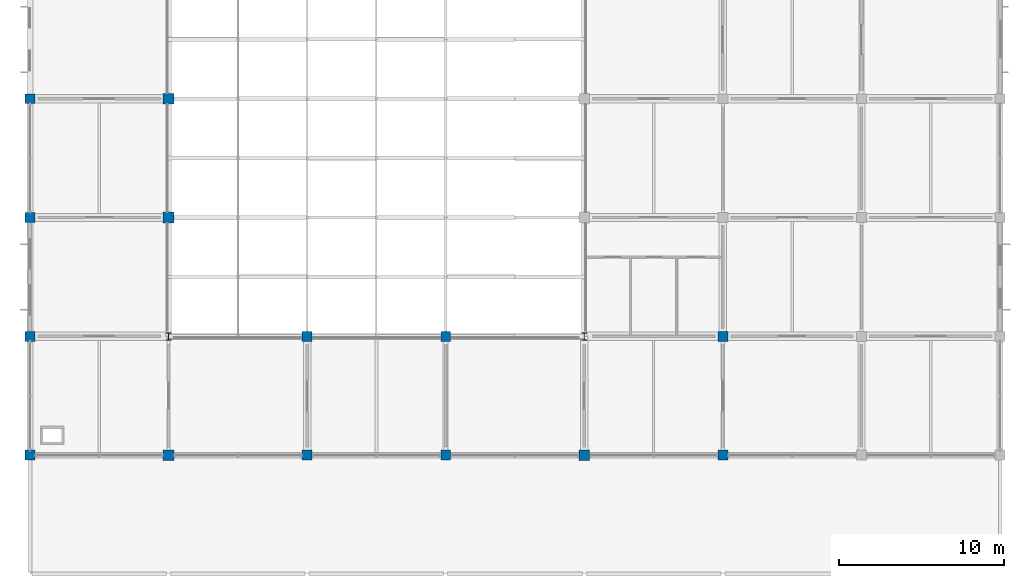
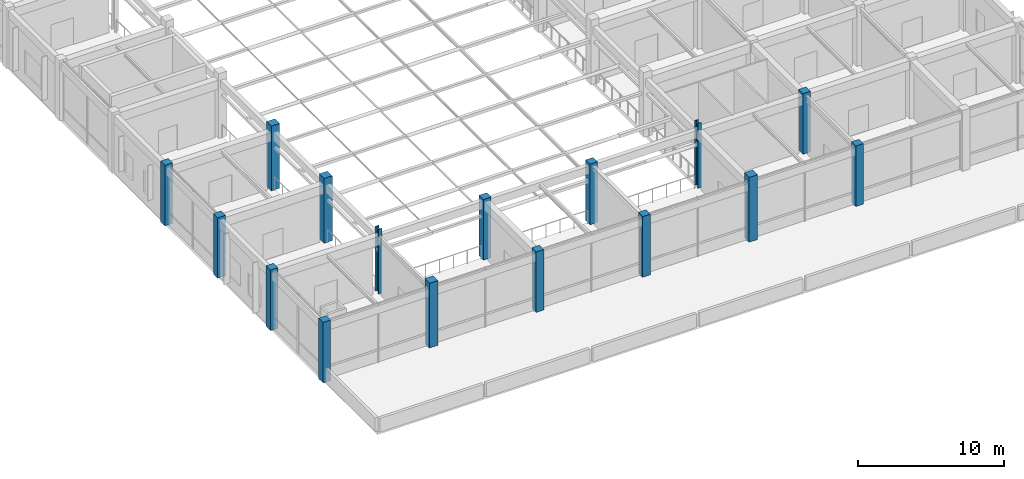
# One storey, part 1 of 38: 16 columns.
"""IFC4 building model written with IfcOpenShell, lengths in metres."""

from ifc_helpers import new_model, si_unit, derived_unit, direction, frame, origin, origin_2d, place, context, subcontext, project, spatial, rectangle, i_section, extrude, material, material_profile, profile_set, type_object, element, save


model = new_model("IFC4")

# Units and contexts
model_context = context("Model", 3, precision=1e-05, world=origin(), true_north=direction((0.0, 1.0)))
body_context = subcontext(model_context, "Body", "Model", "MODEL_VIEW")
ifc_project = project(units=[si_unit("LENGTHUNIT", "METRE"), si_unit("AREAUNIT", "SQUARE_METRE"), si_unit("VOLUMEUNIT", "CUBIC_METRE"), si_unit("PLANEANGLEUNIT", "RADIAN"), si_unit("MASSUNIT", "GRAM", prefix="KILO"), derived_unit("THERMALTRANSMITTANCEUNIT", [(si_unit("MASSUNIT", "GRAM", prefix="KILO"), 1), (si_unit("TIMEUNIT", "SECOND"), -3), (si_unit("THERMODYNAMICTEMPERATUREUNIT", "KELVIN"), -1)])], contexts=[model_context])

# Site, building, storey
site_placement = place(None, origin())
site = spatial("IfcSite", under=ifc_project, at=site_placement, CompositionType="ELEMENT")
building_placement = place(site_placement, origin())
building = spatial("IfcBuilding", under=site, at=building_placement, Name="Veldstrom Oceanarium and Marine Research Institute", CompositionType="ELEMENT")
storey_placement = place(building_placement, frame((0.0, 0.0, 16.800048828125)))
storey = spatial("IfcBuildingStorey", under=building, at=storey_placement, Name="L03", CompositionType="ELEMENT", Elevation=16.800048828125)

# Columns
ifc_material_1 = material(Name="Concrete C50/60", Category="concrete")
ifc_material_profile_1 = material_profile(ifc_material_1, rectangle(XDim=0.64990234375, YDim=0.64990234375, at=origin_2d()), Name="RC-COL-650x650")
ifc_profile_set_1 = profile_set([ifc_material_profile_1], Name="Concrete C50/60")
column_type_1 = type_object("IfcColumnType", Name="STR-COL-C07", PredefinedType="COLUMN", material=ifc_profile_set_1)
for number, where, z_axis, x_axis, name in (
    (1, (16.800048828125, 7.199951171875, 0.0), (0.0, 0.0, 1.0), (1.0, 0.0, 0.0), "Column C07 3/B L03"),
    (2, (16.800048828125, 21.60009765625, 0.0), (0.0, 0.0, 1.0), (1.0, 0.0, 0.0), "Column C07 3/D L03"),
    (3, (16.800048828125, 28.800048828125, 0.0), (0.0, 0.0, 1.0), (1.0, 0.0, 0.0), "Column C07 3/E L03"),
    (4, (42.0, 7.199951171875, 0.0), (0.0, 0.0, 1.0), (1.0, 0.0, 0.0), "Column C07 6/B L03"),
):
    element("IfcColumn", number, at=place(storey_placement, frame(where, z_axis=z_axis, x_axis=x_axis)), inside=storey, type_object=column_type_1, Name=name, PredefinedType="COLUMN", context=body_context, shape_type="SweptSolid", body=[
        extrude(rectangle(XDim=0.64990234375, YDim=0.64990234375, at=origin_2d()), origin(), (0.0, 0.0, 1.0), 5.39990234375),
    ])
ifc_material_2 = material(Name="Concrete C50/60", Category="concrete")
ifc_material_profile_2 = material_profile(ifc_material_2, rectangle(XDim=0.60009765625, YDim=0.60009765625, at=origin_2d()), Name="RC-COL-600x600")
ifc_profile_set_2 = profile_set([ifc_material_profile_2], Name="Concrete C50/60")
column_type_2 = type_object("IfcColumnType", Name="STR-COL-C08", PredefinedType="COLUMN", material=ifc_profile_set_2)
for number, where, z_axis, x_axis, name in (
    (5, (8.39990234375, 7.199951171875, 0.0), (0.0, 0.0, 1.0), (1.0, 0.0, 0.0), "Column C08 2/B L03"),
    (6, (8.39990234375, 14.39990234375, 0.0), (0.0, 0.0, 1.0), (1.0, 0.0, 0.0), "Column C08 2/C L03"),
    (7, (8.39990234375, 21.60009765625, 0.0), (0.0, 0.0, 1.0), (1.0, 0.0, 0.0), "Column C08 2/D L03"),
    (8, (8.39990234375, 28.800048828125, 0.0), (0.0, 0.0, 1.0), (1.0, 0.0, 0.0), "Column C08 2/E L03"),
    (9, (25.199951171875, 7.199951171875, 0.0), (0.0, 0.0, 1.0), (1.0, 0.0, 0.0), "Column C08 4/B L03"),
    (10, (25.199951171875, 14.39990234375, 0.0), (0.0, 0.0, 1.0), (1.0, 0.0, 0.0), "Column C08 4/C L03"),
    (11, (33.60009765625, 7.199951171875, 0.0), (0.0, 0.0, 1.0), (1.0, 0.0, 0.0), "Column C08 5/B L03"),
    (12, (33.60009765625, 14.39990234375, 0.0), (0.0, 0.0, 1.0), (1.0, 0.0, 0.0), "Column C08 5/C L03"),
    (13, (50.39990234375, 7.199951171875, 0.0), (0.0, 0.0, 1.0), (1.0, 0.0, 0.0), "Column C08 7/B L03"),
    (14, (50.39990234375, 14.39990234375, 0.0), (0.0, 0.0, 1.0), (1.0, 0.0, 0.0), "Column C08 7/C L03"),
):
    element("IfcColumn", number, at=place(storey_placement, frame(where, z_axis=z_axis, x_axis=x_axis)), inside=storey, type_object=column_type_2, Name=name, PredefinedType="COLUMN", context=body_context, shape_type="SweptSolid", body=[
        extrude(rectangle(XDim=0.60009765625, YDim=0.60009765625, at=origin_2d()), origin(), (0.0, 0.0, 1.0), 5.050048828125),
    ])
ifc_material_3 = material(Name="Steel S355JR", Category="steel")
ifc_material_profile_3 = material_profile(ifc_material_3, i_section(OverallWidth=0.300048828125, OverallDepth=0.449951171875, WebThickness=0.013916015625, FlangeThickness=0.02587890625, FilletRadius=0.027099609375, at=origin_2d()), Name="HEB 450")
ifc_profile_set_3 = profile_set([ifc_material_profile_3], Name="Steel S355JR")
column_type_3 = type_object("IfcColumnType", Name="STR-COL-C18", PredefinedType="COLUMN", material=ifc_profile_set_3)
for number, where, z_axis, x_axis, name in (
    (15, (16.800048828125, 14.39990234375, 0.0), (0.0, 0.0, 1.0), (1.0, 0.0, 0.0), "Column C18 3/C L03"),
    (16, (42.0, 14.39990234375, 0.0), (0.0, 0.0, 1.0), (1.0, 0.0, 0.0), "Column C18 6/C L03"),
):
    element("IfcColumn", number, at=place(storey_placement, frame(where, z_axis=z_axis, x_axis=x_axis)), inside=storey, type_object=column_type_3, Name=name, PredefinedType="COLUMN", context=body_context, shape_type="SweptSolid", body=[
        extrude(i_section(OverallWidth=0.300048828125, OverallDepth=0.449951171875, WebThickness=0.013916015625, FlangeThickness=0.02587890625, FilletRadius=0.027099609375, at=origin_2d()), origin(), (0.0, 0.0, 1.0), 5.39990234375),
    ])

save(model, "model.ifc")
